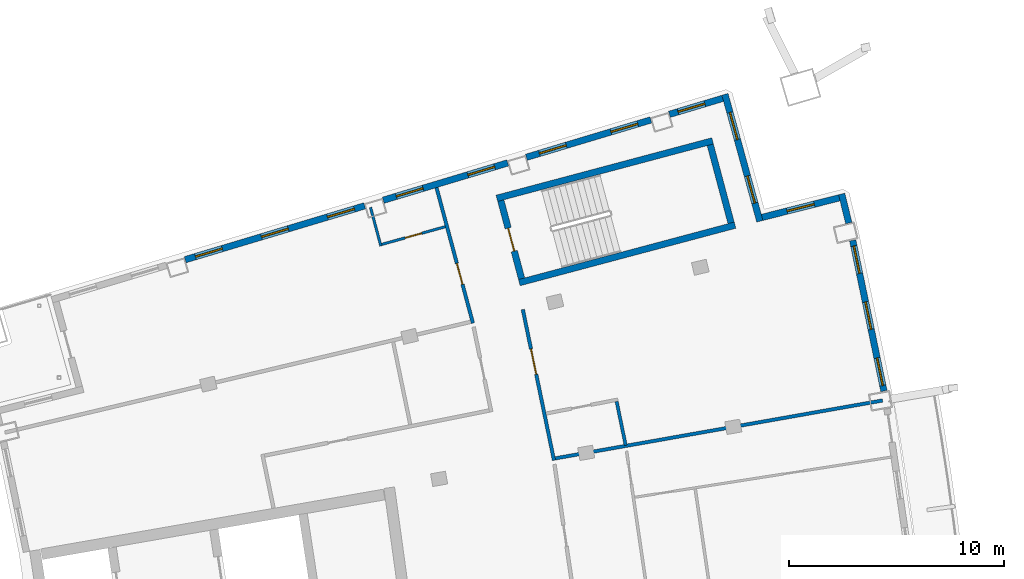
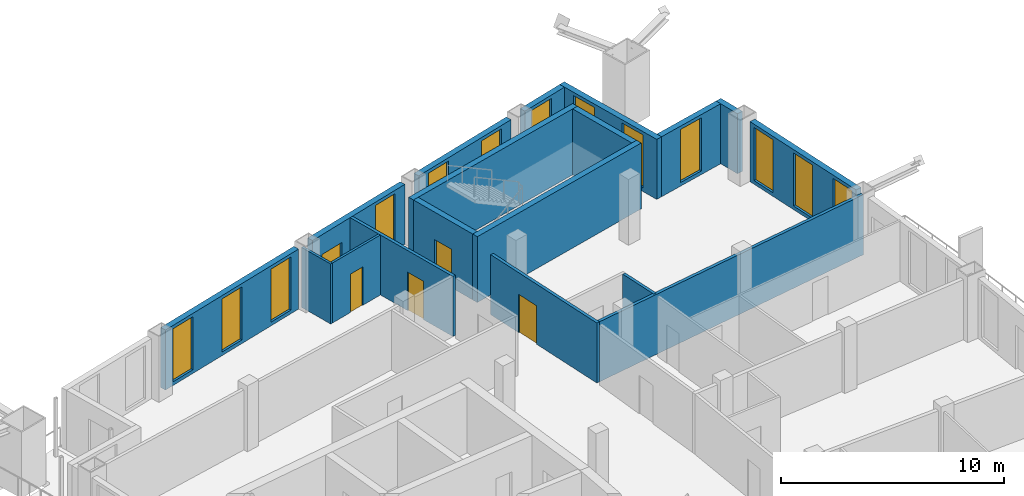
# One storey, part 13 of 20: 18 walls, 14 windows, 4 doors, 18 openings.
"""IFC4 building model written with IfcOpenShell, lengths in metres."""

from ifc_helpers import new_model, si_unit, direction, frame, frame_2d, origin, place, context, subcontext, project, spatial, rectangle, extrude, material, layer, layer_set, type_object, element, fill, save


model = new_model("IFC4")

# Units and contexts
model_context = context("Model", 3, precision=1e-05, world=origin(), true_north=direction((0.0, 1.0)))
body_context = subcontext(model_context, "Body", "Model", "MODEL_VIEW")
ifc_project = project(units=[si_unit("LENGTHUNIT", "METRE"), si_unit("AREAUNIT", "SQUARE_METRE"), si_unit("VOLUMEUNIT", "CUBIC_METRE"), si_unit("PLANEANGLEUNIT", "RADIAN"), si_unit("MASSUNIT", "GRAM", prefix="KILO")], contexts=[model_context])

# Site, building, storey
site_placement = place(None, origin())
site = spatial("IfcSite", under=ifc_project, at=site_placement, CompositionType="ELEMENT")
building_placement = place(site_placement, origin())
building = spatial("IfcBuilding", under=site, at=building_placement, Name="Alderwake Tower", CompositionType="ELEMENT")
storey_placement = place(building_placement, frame((0.0, 0.0, 263.60009765625)))
storey = spatial("IfcBuildingStorey", under=building, at=storey_placement, Name="L65", CompositionType="ELEMENT", Elevation=263.60009765625)

# Walls
ifc_material_1 = material(Name="Concrete C70/85", Category="concrete")
ifc_layer_1 = layer(ifc_material_1, 0.300048828125)
ifc_layer_set_1 = layer_set([ifc_layer_1], Name="Core wall stair enclosure 300 C70-85")
wall_type_1 = type_object("IfcWallType", Name="Core wall stair enclosure 300 C70-85", PredefinedType="SHEAR", material=ifc_layer_set_1)
for number, where, z_axis, x_axis, name in (
    (1, (36.71142578125, 94.182373046875, 0.0), (0.0, 0.0, 1.0), (0.966309214305, 0.257383958996, 0.0), "Core wall CW.082"),
    (2, (37.75390625, 90.268798828125, 0.0), (0.0, 0.0, 1.0), (0.966309214305, 0.257383958996, 0.0), "Core wall CW.084"),
):
    element("IfcWall", number, at=place(storey_placement, frame(where, z_axis=z_axis, x_axis=x_axis)), inside=storey, type_object=wall_type_1, Name=name, PredefinedType="SHEAR", context=body_context, shape_type="SweptSolid", body=[
        extrude(rectangle(XDim=10.360107421875, YDim=0.300048828125, at=frame_2d((5.18017578125, 0.0))), origin(), (0.0, 0.0, 1.0), 3.599853515625),
    ])

# Wall, opening, door
wall_1_placement = place(storey_placement, frame((37.8603515625, 90.452392578125, 0.0), z_axis=(0.0, 0.0, 1.0), x_axis=(-0.257411420208, 0.966301899381, 0.0)))
wall_1 = element("IfcWall", 3, at=wall_1_placement, inside=storey, type_object=wall_type_1, Name="Core wall CW.083", PredefinedType="SHEAR", context=body_context, shape_type="SweptSolid", body=[
    extrude(rectangle(XDim=3.750244140625, YDim=0.300048828125, at=frame_2d((1.875, 0.0))), origin(), (0.0, 0.0, 1.0), 3.599853515625),
])
opening_1_placement = place(wall_1_placement, frame((1.324951171875, 0.0, 0.0)))
opening_1 = element("IfcOpeningElement", 4, at=opening_1_placement, cuts=wall_1, Name="Opening C062", PredefinedType="OPENING", context=body_context, shape_type="SweptSolid", body=[
    extrude(rectangle(XDim=1.10009765625, YDim=2.10009765625, at=frame_2d((0.550048828125, 1.050048828125))), frame((0.0, 0.159912109375, 0.0), z_axis=(0.0, -1.0, 0.0), x_axis=(1.0, 0.0, 0.0)), (0.0, 0.0, 1.0), 0.320068359375),
])
ifc_material_2 = material(Name="Steel-framed fire door leaf", Category="steel")
door_type_1 = type_object("IfcDoorType", Name="Core stair door 1100 fire-rated", OperationType="SINGLE_SWING_LEFT", PredefinedType="DOOR", material=ifc_material_2)
door_1_placement = place(opening_1_placement, origin())
door_1 = element("IfcDoor", 5, at=door_1_placement, inside=storey, type_object=door_type_1, Name="Stair door", OperationType="SINGLE_SWING_LEFT", OverallHeight=2.10009765625, OverallWidth=1.10009765625, PredefinedType="DOOR", context=body_context, shape_type="SweptSolid", body=[
    extrude(rectangle(XDim=1.10009765625, YDim=2.10009765625, at=frame_2d((0.550048828125, 1.050048828125))), frame((0.0, 0.02490234375, 0.0), z_axis=(0.0, -1.0, 0.0), x_axis=(1.0, 0.0, 0.0)), (0.0, 0.0, 1.0), 0.050048828125),
])
fill(opening_1, door_1)

# Wall
wall_2_placement = place(storey_placement, frame((47.581298828125, 93.041748046875, 0.0), z_axis=(0.0, 0.0, 1.0), x_axis=(-0.257366821694, 0.966313778796, 0.0)))
element("IfcWall", 6, at=wall_2_placement, inside=storey, type_object=wall_type_1, Name="Core wall CW.081", PredefinedType="SHEAR", context=body_context, shape_type="SweptSolid", body=[
    extrude(rectangle(XDim=3.749755859375, YDim=0.300048828125, at=frame_2d((1.875, 0.0))), origin(), (0.0, 0.0, 1.0), 3.599853515625),
])

# Wall, opening, door
ifc_material_3 = material(Name="Gypsum board on metal studs, rated")
ifc_layer_2 = layer(ifc_material_3, 0.159912109375)
ifc_layer_set_2 = layer_set([ifc_layer_2], Name="Corridor wall 160")
wall_type_2 = type_object("IfcWallType", Name="Corridor wall 160", PredefinedType="PARTITIONING", material=ifc_layer_set_2)
wall_3_placement = place(storey_placement, frame((35.600830078125, 88.392578125, 0.0), z_axis=(0.0, 0.0, 1.0), x_axis=(-0.259509260101, 0.965740619381, 0.0)))
wall_3 = element("IfcWall", 7, at=wall_3_placement, inside=storey, type_object=wall_type_2, Name="WL/L65/W13", PredefinedType="PARTITIONING", context=body_context, shape_type="SweptSolid", body=[
    extrude(rectangle(XDim=6.50732421875, YDim=0.159912109375, at=frame_2d((3.253662109375, 0.0))), origin(), (0.0, 0.0, 1.0), 3.27978515625),
])
opening_2_placement = place(wall_3_placement, frame((1.865478515625, 0.0, 0.0)))
opening_2 = element("IfcOpeningElement", 8, at=opening_2_placement, cuts=wall_3, Name="Opening R18-U09.1", PredefinedType="OPENING", context=body_context, shape_type="SweptSolid", body=[
    extrude(rectangle(XDim=1.0, YDim=2.10009765625, at=frame_2d((0.5, 1.050048828125))), frame((0.0, 0.08984375, 0.0), z_axis=(0.0, -1.0, 0.0), x_axis=(1.0, 0.0, 0.0)), (0.0, 0.0, 1.0), 0.179931640625),
])
ifc_material_4 = material(Name="Solid timber leaf in steel frame", Category="steel")
door_type_2 = type_object("IfcDoorType", Name="Flat entrance door 1000 fire-rated", OperationType="SINGLE_SWING_LEFT", PredefinedType="DOOR", material=ifc_material_4)
door_2_placement = place(opening_2_placement, origin())
door_2 = element("IfcDoor", 9, at=door_2_placement, inside=storey, type_object=door_type_2, Name="DR/L65/U09.1", OperationType="SINGLE_SWING_LEFT", OverallHeight=2.10009765625, OverallWidth=1.0, PredefinedType="DOOR", context=body_context, shape_type="SweptSolid", body=[
    extrude(rectangle(XDim=1.0, YDim=2.10009765625, at=frame_2d((0.5, 1.050048828125))), frame((0.0, 0.02490234375, 0.0), z_axis=(0.0, -1.0, 0.0), x_axis=(1.0, 0.0, 0.0)), (0.0, 0.0, 1.0), 0.050048828125),
])
fill(opening_2, door_2)

wall_4_placement = place(storey_placement, frame((37.9169921875, 89.02490234375, 0.0), z_axis=(0.0, 0.0, 1.0), x_axis=(0.202409142021, -0.979301046271, 0.0)))
wall_4 = element("IfcWall", 10, at=wall_4_placement, inside=storey, type_object=wall_type_2, Name="WL/L65/W21", PredefinedType="PARTITIONING", context=body_context, shape_type="SweptSolid", body=[
    extrude(rectangle(XDim=7.150146484375, YDim=0.159912109375, at=frame_2d((3.5751953125, 0.0))), origin(), (0.0, 0.0, 1.0), 3.27978515625),
])
opening_3_placement = place(wall_4_placement, frame((1.874755859375, 0.0, 0.0)))
opening_3 = element("IfcOpeningElement", 11, at=opening_3_placement, cuts=wall_4, Name="Opening R18-AM1.1", PredefinedType="OPENING", context=body_context, shape_type="SweptSolid", body=[
    extrude(rectangle(XDim=1.199951171875, YDim=2.10009765625, at=frame_2d((0.60009765625, 1.050048828125))), frame((0.0, 0.08984375, 0.0), z_axis=(0.0, -1.0, 0.0), x_axis=(1.0, 0.0, 0.0)), (0.0, 0.0, 1.0), 0.179931640625),
])
ifc_material_5 = material(Name="Steel-framed fire door leaf", Category="steel")
door_type_3 = type_object("IfcDoorType", Name="Lobby door 1200 fire-rated", OperationType="SINGLE_SWING_LEFT", PredefinedType="DOOR", material=ifc_material_5)
door_3_placement = place(opening_3_placement, origin())
door_3 = element("IfcDoor", 12, at=door_3_placement, inside=storey, type_object=door_type_3, Name="DR/L65/AM1.1", OperationType="SINGLE_SWING_LEFT", OverallHeight=2.10009765625, OverallWidth=1.199951171875, PredefinedType="DOOR", context=body_context, shape_type="SweptSolid", body=[
    extrude(rectangle(XDim=1.199951171875, YDim=2.10009765625, at=frame_2d((0.60009765625, 1.050048828125))), frame((0.0, 0.02490234375, 0.0), z_axis=(0.0, -1.0, 0.0), x_axis=(1.0, 0.0, 0.0)), (0.0, 0.0, 1.0), 0.050048828125),
])
fill(opening_3, door_3)

# Wall
wall_5_placement = place(storey_placement, frame((54.612060546875, 84.801025390625, 0.0), z_axis=(0.0, 0.0, 1.0), x_axis=(-0.984713831022, -0.174179995963, 0.0)))
element("IfcWall", 13, at=wall_5_placement, inside=storey, type_object=wall_type_2, Name="WL/L65/W27", PredefinedType="PARTITIONING", context=body_context, shape_type="SweptSolid", body=[
    extrude(rectangle(XDim=15.421142578125, YDim=0.159912109375, at=frame_2d((7.71044921875, 0.0))), origin(), (0.0, 0.0, 1.0), 3.27978515625),
])

# Wall, openings, windows
ifc_material_6 = material(Name="Precast concrete C50/60 spandrel panel", Category="concrete")
ifc_layer_3 = layer(ifc_material_6, 0.300048828125)
ifc_layer_set_3 = layer_set([ifc_layer_3], Name="External wall EW1 Precast concrete C50/60 spandrel")
wall_type_3 = type_object("IfcWallType", Name="External wall EW1 Precast concrete C50/60 spandrel", PredefinedType="SOLIDWALL", material=ifc_layer_set_3)
wall_6_placement = place(storey_placement, frame((54.67431640625, 85.23974609375, 0.0), z_axis=(0.0, 0.0, 1.0), x_axis=(-0.202780898279, 0.979224135371, 0.0)))
wall_6 = element("IfcWall", 14, at=wall_6_placement, inside=storey, type_object=wall_type_3, Name="External wall 19", PredefinedType="SOLIDWALL", context=body_context, shape_type="SweptSolid", body=[
    extrude(rectangle(XDim=7.13818359375, YDim=0.300048828125, at=frame_2d((3.569091796875, 0.0))), origin(), (0.0, 0.0, 1.0), 3.27978515625),
])
opening_4_placement = place(wall_6_placement, frame((0.263427734375, 0.0, 0.199951171875)))
opening_4 = element("IfcOpeningElement", 15, at=opening_4_placement, cuts=wall_6, Name="Opening W1", PredefinedType="OPENING", context=body_context, shape_type="SweptSolid", body=[
    extrude(rectangle(XDim=1.300048828125, YDim=2.89990234375, at=frame_2d((0.64990234375, 1.449951171875))), frame((0.0, 0.159912109375, 0.0), z_axis=(0.0, -1.0, 0.0), x_axis=(1.0, 0.0, 0.0)), (0.0, 0.0, 1.0), 0.320068359375),
])
opening_5_placement = place(wall_6_placement, frame((2.919189453125, 0.0, 0.199951171875)))
opening_5 = element("IfcOpeningElement", 16, at=opening_5_placement, cuts=wall_6, Name="Opening W1", PredefinedType="OPENING", context=body_context, shape_type="SweptSolid", body=[
    extrude(rectangle(XDim=1.300048828125, YDim=2.89990234375, at=frame_2d((0.64990234375, 1.449951171875))), frame((0.0, 0.159912109375, 0.0), z_axis=(0.0, -1.0, 0.0), x_axis=(1.0, 0.0, 0.0)), (0.0, 0.0, 1.0), 0.320068359375),
])
opening_6_placement = place(wall_6_placement, frame((5.574951171875, 0.0, 0.199951171875)))
opening_6 = element("IfcOpeningElement", 17, at=opening_6_placement, cuts=wall_6, Name="Opening W1", PredefinedType="OPENING", context=body_context, shape_type="SweptSolid", body=[
    extrude(rectangle(XDim=1.300048828125, YDim=2.89990234375, at=frame_2d((0.64990234375, 1.449951171875))), frame((0.0, 0.159912109375, 0.0), z_axis=(0.0, -1.0, 0.0), x_axis=(1.0, 0.0, 0.0)), (0.0, 0.0, 1.0), 0.320068359375),
])
ifc_material_7 = material(Name="Bronze tinted glass in aluminium frame", Category="aluminium")
window_type_1 = type_object("IfcWindowType", Name="Window W1 tall fixed and vent", PartitioningType="DOUBLE_PANEL_VERTICAL", PredefinedType="WINDOW", material=ifc_material_7)
window_1_placement = place(opening_4_placement, origin())
window_1 = element("IfcWindow", 18, at=window_1_placement, inside=storey, type_object=window_type_1, Name="Window W1 tall fixed and vent", OverallHeight=2.89990234375, OverallWidth=1.300048828125, PartitioningType="DOUBLE_PANEL_VERTICAL", PredefinedType="WINDOW", context=body_context, shape_type="SweptSolid", body=[
    extrude(rectangle(XDim=1.300048828125, YDim=2.89990234375, at=frame_2d((0.64990234375, 1.449951171875))), frame((0.0, 0.030029296875, 0.0), z_axis=(0.0, -1.0, 0.0), x_axis=(1.0, 0.0, 0.0)), (0.0, 0.0, 1.0), 0.06005859375),
])
fill(opening_4, window_1)
window_2_placement = place(opening_5_placement, origin())
window_2 = element("IfcWindow", 19, at=window_2_placement, inside=storey, type_object=window_type_1, Name="Window W1 tall fixed and vent", OverallHeight=2.89990234375, OverallWidth=1.300048828125, PartitioningType="DOUBLE_PANEL_VERTICAL", PredefinedType="WINDOW", context=body_context, shape_type="SweptSolid", body=[
    extrude(rectangle(XDim=1.300048828125, YDim=2.89990234375, at=frame_2d((0.64990234375, 1.449951171875))), frame((0.0, 0.030029296875, 0.0), z_axis=(0.0, -1.0, 0.0), x_axis=(1.0, 0.0, 0.0)), (0.0, 0.0, 1.0), 0.06005859375),
])
fill(opening_5, window_2)
window_3_placement = place(opening_6_placement, origin())
window_3 = element("IfcWindow", 20, at=window_3_placement, inside=storey, type_object=window_type_1, Name="Window W1 tall fixed and vent", OverallHeight=2.89990234375, OverallWidth=1.300048828125, PartitioningType="DOUBLE_PANEL_VERTICAL", PredefinedType="WINDOW", context=body_context, shape_type="SweptSolid", body=[
    extrude(rectangle(XDim=1.300048828125, YDim=2.89990234375, at=frame_2d((0.64990234375, 1.449951171875))), frame((0.0, 0.030029296875, 0.0), z_axis=(0.0, -1.0, 0.0), x_axis=(1.0, 0.0, 0.0)), (0.0, 0.0, 1.0), 0.06005859375),
])
fill(opening_6, window_3)

# Wall
wall_7_placement = place(storey_placement, frame((53.044921875, 93.036376953125, 0.0), z_axis=(0.0, 0.0, 1.0), x_axis=(-0.238277778026, 0.971197045145, 0.0)))
element("IfcWall", 21, at=wall_7_placement, inside=storey, type_object=wall_type_3, Name="External wall 20", PredefinedType="SOLIDWALL", context=body_context, shape_type="SweptSolid", body=[
    extrude(rectangle(XDim=1.390380859375, YDim=0.300048828125, at=frame_2d((0.6953125, 0.0))), origin(), (0.0, 0.0, 1.0), 3.27978515625),
])

# Wall, opening, window
ifc_material_8 = material(Name="Bronze metal cladding on lightweight framing")
ifc_layer_4 = layer(ifc_material_8, 0.300048828125)
ifc_layer_set_4 = layer_set([ifc_layer_4], Name="External wall EW2 bronze metal cladding")
wall_type_4 = type_object("IfcWallType", Name="External wall EW2 bronze metal cladding", PredefinedType="SOLIDWALL", material=ifc_layer_set_4)
wall_8_placement = place(storey_placement, frame((52.60400390625, 94.2041015625, 0.0), z_axis=(0.0, 0.0, 1.0), x_axis=(-0.969426922046, -0.245380200529, 0.0)))
wall_8 = element("IfcWall", 22, at=wall_8_placement, inside=storey, type_object=wall_type_4, Name="External wall 21", PredefinedType="SOLIDWALL", context=body_context, shape_type="SweptSolid", body=[
    extrude(rectangle(XDim=3.6943359375, YDim=0.300048828125, at=frame_2d((1.84716796875, 0.0))), origin(), (0.0, 0.0, 1.0), 3.27978515625),
])
opening_7_placement = place(wall_8_placement, frame((1.197021484375, 0.0, 0.199951171875)))
opening_7 = element("IfcOpeningElement", 23, at=opening_7_placement, cuts=wall_8, Name="Opening W1", PredefinedType="OPENING", context=body_context, shape_type="SweptSolid", body=[
    extrude(rectangle(XDim=1.300048828125, YDim=2.89990234375, at=frame_2d((0.64990234375, 1.449951171875))), frame((0.0, 0.159912109375, 0.0), z_axis=(0.0, -1.0, 0.0), x_axis=(1.0, 0.0, 0.0)), (0.0, 0.0, 1.0), 0.320068359375),
])
window_4_placement = place(opening_7_placement, origin())
window_4 = element("IfcWindow", 24, at=window_4_placement, inside=storey, type_object=window_type_1, Name="Window W1 tall fixed and vent", OverallHeight=2.89990234375, OverallWidth=1.300048828125, PartitioningType="DOUBLE_PANEL_VERTICAL", PredefinedType="WINDOW", context=body_context, shape_type="SweptSolid", body=[
    extrude(rectangle(XDim=1.300048828125, YDim=2.89990234375, at=frame_2d((0.64990234375, 1.449951171875))), frame((0.0, 0.030029296875, 0.0), z_axis=(0.0, -1.0, 0.0), x_axis=(1.0, 0.0, 0.0)), (0.0, 0.0, 1.0), 0.06005859375),
])
fill(opening_7, window_4)

# Wall, openings, windows
wall_9_placement = place(storey_placement, frame((48.9169921875, 93.1162109375, 0.0), z_axis=(0.0, 0.0, 1.0), x_axis=(-0.265084063533, 0.964225305238, 0.0)))
wall_9 = element("IfcWall", 25, at=wall_9_placement, inside=storey, type_object=wall_type_4, Name="External wall 22", PredefinedType="SOLIDWALL", context=body_context, shape_type="SweptSolid", body=[
    extrude(rectangle(XDim=6.11181640625, YDim=0.300048828125, at=frame_2d((3.055908203125, 0.0))), origin(), (0.0, 0.0, 1.0), 3.27978515625),
])
opening_8_placement = place(wall_9_placement, frame((0.8779296875, 0.0, 0.199951171875)))
opening_8 = element("IfcOpeningElement", 26, at=opening_8_placement, cuts=wall_9, Name="Opening W1", PredefinedType="OPENING", context=body_context, shape_type="SweptSolid", body=[
    extrude(rectangle(XDim=1.300048828125, YDim=2.89990234375, at=frame_2d((0.64990234375, 1.449951171875))), frame((0.0, 0.159912109375, 0.0), z_axis=(0.0, -1.0, 0.0), x_axis=(1.0, 0.0, 0.0)), (0.0, 0.0, 1.0), 0.320068359375),
])
opening_9_placement = place(wall_9_placement, frame((3.933837890625, 0.0, 0.199951171875)))
opening_9 = element("IfcOpeningElement", 27, at=opening_9_placement, cuts=wall_9, Name="Opening W1", PredefinedType="OPENING", context=body_context, shape_type="SweptSolid", body=[
    extrude(rectangle(XDim=1.300048828125, YDim=2.89990234375, at=frame_2d((0.64990234375, 1.449951171875))), frame((0.0, 0.159912109375, 0.0), z_axis=(0.0, -1.0, 0.0), x_axis=(1.0, 0.0, 0.0)), (0.0, 0.0, 1.0), 0.320068359375),
])
window_5_placement = place(opening_8_placement, origin())
window_5 = element("IfcWindow", 28, at=window_5_placement, inside=storey, type_object=window_type_1, Name="Window W1 tall fixed and vent", OverallHeight=2.89990234375, OverallWidth=1.300048828125, PartitioningType="DOUBLE_PANEL_VERTICAL", PredefinedType="WINDOW", context=body_context, shape_type="SweptSolid", body=[
    extrude(rectangle(XDim=1.300048828125, YDim=2.89990234375, at=frame_2d((0.64990234375, 1.449951171875))), frame((0.0, 0.030029296875, 0.0), z_axis=(0.0, -1.0, 0.0), x_axis=(1.0, 0.0, 0.0)), (0.0, 0.0, 1.0), 0.06005859375),
])
fill(opening_8, window_5)
window_6_placement = place(opening_9_placement, origin())
window_6 = element("IfcWindow", 29, at=window_6_placement, inside=storey, type_object=window_type_1, Name="Window W1 tall fixed and vent", OverallHeight=2.89990234375, OverallWidth=1.300048828125, PartitioningType="DOUBLE_PANEL_VERTICAL", PredefinedType="WINDOW", context=body_context, shape_type="SweptSolid", body=[
    extrude(rectangle(XDim=1.300048828125, YDim=2.89990234375, at=frame_2d((0.64990234375, 1.449951171875))), frame((0.0, 0.030029296875, 0.0), z_axis=(0.0, -1.0, 0.0), x_axis=(1.0, 0.0, 0.0)), (0.0, 0.0, 1.0), 0.06005859375),
])
fill(opening_9, window_6)

# Wall, opening, window
wall_10_placement = place(storey_placement, frame((47.193115234375, 98.821533203125, 0.0), z_axis=(0.0, 0.0, 1.0), x_axis=(-0.957774173121, -0.28752153537, 0.0)))
wall_10 = element("IfcWall", 30, at=wall_10_placement, inside=storey, type_object=wall_type_4, Name="External wall 23", PredefinedType="SOLIDWALL", context=body_context, shape_type="SweptSolid", body=[
    extrude(rectangle(XDim=2.57958984375, YDim=0.300048828125, at=frame_2d((1.289794921875, 0.0))), origin(), (0.0, 0.0, 1.0), 3.27978515625),
])
opening_10_placement = place(wall_10_placement, frame((0.865478515625, 0.0, 0.199951171875)))
opening_10 = element("IfcOpeningElement", 31, at=opening_10_placement, cuts=wall_10, Name="Opening W1", PredefinedType="OPENING", context=body_context, shape_type="SweptSolid", body=[
    extrude(rectangle(XDim=1.300048828125, YDim=2.89990234375, at=frame_2d((0.64990234375, 1.449951171875))), frame((0.0, 0.159912109375, 0.0), z_axis=(0.0, -1.0, 0.0), x_axis=(1.0, 0.0, 0.0)), (0.0, 0.0, 1.0), 0.320068359375),
])
window_7_placement = place(opening_10_placement, origin())
window_7 = element("IfcWindow", 32, at=window_7_placement, inside=storey, type_object=window_type_1, Name="Window W1 tall fixed and vent", OverallHeight=2.89990234375, OverallWidth=1.300048828125, PartitioningType="DOUBLE_PANEL_VERTICAL", PredefinedType="WINDOW", context=body_context, shape_type="SweptSolid", body=[
    extrude(rectangle(XDim=1.300048828125, YDim=2.89990234375, at=frame_2d((0.64990234375, 1.449951171875))), frame((0.0, 0.030029296875, 0.0), z_axis=(0.0, -1.0, 0.0), x_axis=(1.0, 0.0, 0.0)), (0.0, 0.0, 1.0), 0.06005859375),
])
fill(opening_10, window_7)

# Wall, openings, windows
wall_11_placement = place(storey_placement, frame((43.857177734375, 97.820068359375, 0.0), z_axis=(0.0, 0.0, 1.0), x_axis=(-0.957771667866, -0.287529880593, 0.0)))
wall_11 = element("IfcWall", 33, at=wall_11_placement, inside=storey, type_object=wall_type_4, Name="External wall 24", PredefinedType="SOLIDWALL", context=body_context, shape_type="SweptSolid", body=[
    extrude(rectangle(XDim=6.0302734375, YDim=0.300048828125, at=frame_2d((3.01513671875, 0.0))), origin(), (0.0, 0.0, 1.0), 3.27978515625),
])
opening_11_placement = place(wall_11_placement, frame((0.6318359375, 0.0, 0.199951171875)))
opening_11 = element("IfcOpeningElement", 34, at=opening_11_placement, cuts=wall_11, Name="Opening W1", PredefinedType="OPENING", context=body_context, shape_type="SweptSolid", body=[
    extrude(rectangle(XDim=1.300048828125, YDim=2.89990234375, at=frame_2d((0.64990234375, 1.449951171875))), frame((0.0, 0.159912109375, 0.0), z_axis=(0.0, -1.0, 0.0), x_axis=(1.0, 0.0, 0.0)), (0.0, 0.0, 1.0), 0.320068359375),
])
opening_12_placement = place(wall_11_placement, frame((4.098388671875, 0.0, 0.199951171875)))
opening_12 = element("IfcOpeningElement", 35, at=opening_12_placement, cuts=wall_11, Name="Opening W1", PredefinedType="OPENING", context=body_context, shape_type="SweptSolid", body=[
    extrude(rectangle(XDim=1.300048828125, YDim=2.89990234375, at=frame_2d((0.64990234375, 1.449951171875))), frame((0.0, 0.159912109375, 0.0), z_axis=(0.0, -1.0, 0.0), x_axis=(1.0, 0.0, 0.0)), (0.0, 0.0, 1.0), 0.320068359375),
])
window_8_placement = place(opening_11_placement, origin())
window_8 = element("IfcWindow", 36, at=window_8_placement, inside=storey, type_object=window_type_1, Name="Window W1 tall fixed and vent", OverallHeight=2.89990234375, OverallWidth=1.300048828125, PartitioningType="DOUBLE_PANEL_VERTICAL", PredefinedType="WINDOW", context=body_context, shape_type="SweptSolid", body=[
    extrude(rectangle(XDim=1.300048828125, YDim=2.89990234375, at=frame_2d((0.64990234375, 1.449951171875))), frame((0.0, 0.030029296875, 0.0), z_axis=(0.0, -1.0, 0.0), x_axis=(1.0, 0.0, 0.0)), (0.0, 0.0, 1.0), 0.06005859375),
])
fill(opening_11, window_8)
window_9_placement = place(opening_12_placement, origin())
window_9 = element("IfcWindow", 37, at=window_9_placement, inside=storey, type_object=window_type_1, Name="Window W1 tall fixed and vent", OverallHeight=2.89990234375, OverallWidth=1.300048828125, PartitioningType="DOUBLE_PANEL_VERTICAL", PredefinedType="WINDOW", context=body_context, shape_type="SweptSolid", body=[
    extrude(rectangle(XDim=1.300048828125, YDim=2.89990234375, at=frame_2d((0.64990234375, 1.449951171875))), frame((0.0, 0.030029296875, 0.0), z_axis=(0.0, -1.0, 0.0), x_axis=(1.0, 0.0, 0.0)), (0.0, 0.0, 1.0), 0.06005859375),
])
fill(opening_12, window_9)

wall_12_placement = place(storey_placement, frame((37.21630859375, 95.826416015625, 0.0), z_axis=(0.0, 0.0, 1.0), x_axis=(-0.957753821359, -0.287589321205, 0.0)))
wall_12 = element("IfcWall", 38, at=wall_12_placement, inside=storey, type_object=wall_type_4, Name="External wall 25", PredefinedType="SOLIDWALL", context=body_context, shape_type="SweptSolid", body=[
    extrude(rectangle(XDim=6.02978515625, YDim=0.300048828125, at=frame_2d((3.014892578125, 0.0))), origin(), (0.0, 0.0, 1.0), 3.27978515625),
])
opening_13_placement = place(wall_12_placement, frame((0.631591796875, 0.0, 0.199951171875)))
opening_13 = element("IfcOpeningElement", 39, at=opening_13_placement, cuts=wall_12, Name="Opening W1", PredefinedType="OPENING", context=body_context, shape_type="SweptSolid", body=[
    extrude(rectangle(XDim=1.300048828125, YDim=2.89990234375, at=frame_2d((0.64990234375, 1.449951171875))), frame((0.0, 0.159912109375, 0.0), z_axis=(0.0, -1.0, 0.0), x_axis=(1.0, 0.0, 0.0)), (0.0, 0.0, 1.0), 0.320068359375),
])
opening_14_placement = place(wall_12_placement, frame((4.098388671875, 0.0, 1.0)))
opening_14 = element("IfcOpeningElement", 40, at=opening_14_placement, cuts=wall_12, Name="Opening W2", PredefinedType="OPENING", context=body_context, shape_type="SweptSolid", body=[
    extrude(rectangle(XDim=1.300048828125, YDim=1.199951171875, at=frame_2d((0.64990234375, 0.60009765625))), frame((0.0, 0.159912109375, 0.0), z_axis=(0.0, -1.0, 0.0), x_axis=(1.0, 0.0, 0.0)), (0.0, 0.0, 1.0), 0.320068359375),
])
window_10_placement = place(opening_13_placement, origin())
window_10 = element("IfcWindow", 41, at=window_10_placement, inside=storey, type_object=window_type_1, Name="Window W1 tall fixed and vent", OverallHeight=2.89990234375, OverallWidth=1.300048828125, PartitioningType="DOUBLE_PANEL_VERTICAL", PredefinedType="WINDOW", context=body_context, shape_type="SweptSolid", body=[
    extrude(rectangle(XDim=1.300048828125, YDim=2.89990234375, at=frame_2d((0.64990234375, 1.449951171875))), frame((0.0, 0.030029296875, 0.0), z_axis=(0.0, -1.0, 0.0), x_axis=(1.0, 0.0, 0.0)), (0.0, 0.0, 1.0), 0.06005859375),
])
fill(opening_13, window_10)
ifc_material_9 = material(Name="Bronze tinted glass in aluminium frame", Category="aluminium")
window_type_2 = type_object("IfcWindowType", Name="Window W2 kitchen and bath", PartitioningType="SINGLE_PANEL", PredefinedType="WINDOW", material=ifc_material_9)
window_11_placement = place(opening_14_placement, origin())
window_11 = element("IfcWindow", 42, at=window_11_placement, inside=storey, type_object=window_type_2, Name="Window W2 kitchen and bath", OverallHeight=1.199951171875, OverallWidth=1.300048828125, PartitioningType="SINGLE_PANEL", PredefinedType="WINDOW", context=body_context, shape_type="SweptSolid", body=[
    extrude(rectangle(XDim=1.300048828125, YDim=1.199951171875, at=frame_2d((0.64990234375, 0.60009765625))), frame((0.0, 0.030029296875, 0.0), z_axis=(0.0, -1.0, 0.0), x_axis=(1.0, 0.0, 0.0)), (0.0, 0.0, 1.0), 0.06005859375),
])
fill(opening_14, window_11)

wall_13_placement = place(storey_placement, frame((30.57568359375, 93.83251953125, 0.0), z_axis=(0.0, 0.0, 1.0), x_axis=(-0.957762902908, -0.287559075345, 0.0)))
wall_13 = element("IfcWall", 43, at=wall_13_placement, inside=storey, type_object=wall_type_4, Name="External wall 26", PredefinedType="SOLIDWALL", context=body_context, shape_type="SweptSolid", body=[
    extrude(rectangle(XDim=8.696533203125, YDim=0.300048828125, at=frame_2d((4.34814453125, 0.0))), origin(), (0.0, 0.0, 1.0), 3.27978515625),
])
opening_15_placement = place(wall_13_placement, frame((0.498291015625, 0.0, 0.199951171875)))
opening_15 = element("IfcOpeningElement", 44, at=opening_15_placement, cuts=wall_13, Name="Opening W1", PredefinedType="OPENING", context=body_context, shape_type="SweptSolid", body=[
    extrude(rectangle(XDim=1.300048828125, YDim=2.89990234375, at=frame_2d((0.64990234375, 1.449951171875))), frame((0.0, 0.159912109375, 0.0), z_axis=(0.0, -1.0, 0.0), x_axis=(1.0, 0.0, 0.0)), (0.0, 0.0, 1.0), 0.320068359375),
])
opening_16_placement = place(wall_13_placement, frame((3.6982421875, 0.0, 0.199951171875)))
opening_16 = element("IfcOpeningElement", 45, at=opening_16_placement, cuts=wall_13, Name="Opening W1", PredefinedType="OPENING", context=body_context, shape_type="SweptSolid", body=[
    extrude(rectangle(XDim=1.300048828125, YDim=2.89990234375, at=frame_2d((0.64990234375, 1.449951171875))), frame((0.0, 0.159912109375, 0.0), z_axis=(0.0, -1.0, 0.0), x_axis=(1.0, 0.0, 0.0)), (0.0, 0.0, 1.0), 0.320068359375),
])
opening_17_placement = place(wall_13_placement, frame((6.898193359375, 0.0, 0.199951171875)))
opening_17 = element("IfcOpeningElement", 46, at=opening_17_placement, cuts=wall_13, Name="Opening W1", PredefinedType="OPENING", context=body_context, shape_type="SweptSolid", body=[
    extrude(rectangle(XDim=1.300048828125, YDim=2.89990234375, at=frame_2d((0.64990234375, 1.449951171875))), frame((0.0, 0.159912109375, 0.0), z_axis=(0.0, -1.0, 0.0), x_axis=(1.0, 0.0, 0.0)), (0.0, 0.0, 1.0), 0.320068359375),
])
window_12_placement = place(opening_15_placement, origin())
window_12 = element("IfcWindow", 47, at=window_12_placement, inside=storey, type_object=window_type_1, Name="Window W1 tall fixed and vent", OverallHeight=2.89990234375, OverallWidth=1.300048828125, PartitioningType="DOUBLE_PANEL_VERTICAL", PredefinedType="WINDOW", context=body_context, shape_type="SweptSolid", body=[
    extrude(rectangle(XDim=1.300048828125, YDim=2.89990234375, at=frame_2d((0.64990234375, 1.449951171875))), frame((0.0, 0.030029296875, 0.0), z_axis=(0.0, -1.0, 0.0), x_axis=(1.0, 0.0, 0.0)), (0.0, 0.0, 1.0), 0.06005859375),
])
fill(opening_15, window_12)
window_13_placement = place(opening_16_placement, origin())
window_13 = element("IfcWindow", 48, at=window_13_placement, inside=storey, type_object=window_type_1, Name="Window W1 tall fixed and vent", OverallHeight=2.89990234375, OverallWidth=1.300048828125, PartitioningType="DOUBLE_PANEL_VERTICAL", PredefinedType="WINDOW", context=body_context, shape_type="SweptSolid", body=[
    extrude(rectangle(XDim=1.300048828125, YDim=2.89990234375, at=frame_2d((0.64990234375, 1.449951171875))), frame((0.0, 0.030029296875, 0.0), z_axis=(0.0, -1.0, 0.0), x_axis=(1.0, 0.0, 0.0)), (0.0, 0.0, 1.0), 0.06005859375),
])
fill(opening_16, window_13)
window_14_placement = place(opening_17_placement, origin())
window_14 = element("IfcWindow", 49, at=window_14_placement, inside=storey, type_object=window_type_1, Name="Window W1 tall fixed and vent", OverallHeight=2.89990234375, OverallWidth=1.300048828125, PartitioningType="DOUBLE_PANEL_VERTICAL", PredefinedType="WINDOW", context=body_context, shape_type="SweptSolid", body=[
    extrude(rectangle(XDim=1.300048828125, YDim=2.89990234375, at=frame_2d((0.64990234375, 1.449951171875))), frame((0.0, 0.030029296875, 0.0), z_axis=(0.0, -1.0, 0.0), x_axis=(1.0, 0.0, 0.0)), (0.0, 0.0, 1.0), 0.06005859375),
])
fill(opening_17, window_14)

# Walls
ifc_material_10 = material(Name="Gypsum shaft wall system, rated")
ifc_layer_5 = layer(ifc_material_10, 0.14990234375)
ifc_layer_set_5 = layer_set([ifc_layer_5], Name="Riser and shaft wall 150")
wall_type_5 = type_object("IfcWallType", Name="Riser and shaft wall 150", PredefinedType="PARTITIONING", material=ifc_layer_set_5)
wall_14_placement = place(storey_placement, frame((42.69189453125, 82.714599609375, 0.0), z_axis=(0.0, 0.0, 1.0), x_axis=(-0.202423435623, 0.979298091855, 0.0)))
element("IfcWall", 50, at=wall_14_placement, inside=storey, type_object=wall_type_5, Name="WL/L65/W08", PredefinedType="PARTITIONING", context=body_context, shape_type="SweptSolid", body=[
    extrude(rectangle(XDim=2.0830078125, YDim=0.14990234375, at=frame_2d((1.04150390625, 0.0))), origin(), (0.0, 0.0, 1.0), 3.27978515625),
])
ifc_material_11 = material(Name="Moisture resistant gypsum board on metal studs")
ifc_layer_6 = layer(ifc_material_11, 0.1201171875)
ifc_layer_set_6 = layer_set([ifc_layer_6], Name="Wet room partition 120")
wall_type_6 = type_object("IfcWallType", Name="Wet room partition 120", PredefinedType="PARTITIONING", material=ifc_layer_set_6)
wall_15_placement = place(storey_placement, frame((30.84912109375, 93.759033203125, 0.0), z_axis=(0.0, 0.0, 1.0), x_axis=(0.259401464702, -0.965769579201, 0.0)))
element("IfcWall", 51, at=wall_15_placement, inside=storey, type_object=wall_type_6, Name="WL/L65/W28", PredefinedType="PARTITIONING", context=body_context, shape_type="SweptSolid", body=[
    extrude(rectangle(XDim=1.852294921875, YDim=0.1201171875, at=frame_2d((0.92626953125, 0.0))), origin(), (0.0, 0.0, 1.0), 3.27978515625),
])

# Wall, opening, door
wall_16_placement = place(storey_placement, frame((31.371826171875, 92.044189453125, 0.0), z_axis=(0.0, 0.0, 1.0), x_axis=(0.963351881246, 0.268240848677, 0.0)))
wall_16 = element("IfcWall", 52, at=wall_16_placement, inside=storey, type_object=wall_type_6, Name="WL/L65/W29", PredefinedType="PARTITIONING", context=body_context, shape_type="SweptSolid", body=[
    extrude(rectangle(XDim=3.05810546875, YDim=0.1201171875, at=frame_2d((1.529052734375, 0.0))), origin(), (0.0, 0.0, 1.0), 3.27978515625),
])
opening_18_placement = place(wall_16_placement, frame((1.129150390625, 0.0, 0.0)))
opening_18 = element("IfcOpeningElement", 53, at=opening_18_placement, cuts=wall_16, Name="Opening R18-U09.2", PredefinedType="OPENING", context=body_context, shape_type="SweptSolid", body=[
    extrude(rectangle(XDim=0.800048828125, YDim=2.10009765625, at=frame_2d((0.39990234375, 1.050048828125))), frame((0.0, 0.070068359375, 0.0), z_axis=(0.0, -1.0, 0.0), x_axis=(1.0, 0.0, 0.0)), (0.0, 0.0, 1.0), 0.14013671875),
])
ifc_material_12 = material(Name="Painted timber leaf", Category="wood")
door_type_4 = type_object("IfcDoorType", Name="Bathroom door 800", OperationType="SINGLE_SWING_LEFT", PredefinedType="DOOR", material=ifc_material_12)
door_4_placement = place(opening_18_placement, origin())
door_4 = element("IfcDoor", 54, at=door_4_placement, inside=storey, type_object=door_type_4, Name="DR/L65/U09.2", OperationType="SINGLE_SWING_LEFT", OverallHeight=2.10009765625, OverallWidth=0.800048828125, PredefinedType="DOOR", context=body_context, shape_type="SweptSolid", body=[
    extrude(rectangle(XDim=0.800048828125, YDim=2.10009765625, at=frame_2d((0.39990234375, 1.050048828125))), frame((0.0, 0.02490234375, 0.0), z_axis=(0.0, -1.0, 0.0), x_axis=(1.0, 0.0, 0.0)), (0.0, 0.0, 1.0), 0.050048828125),
])
fill(opening_18, door_4)

save(model, "model.ifc")
